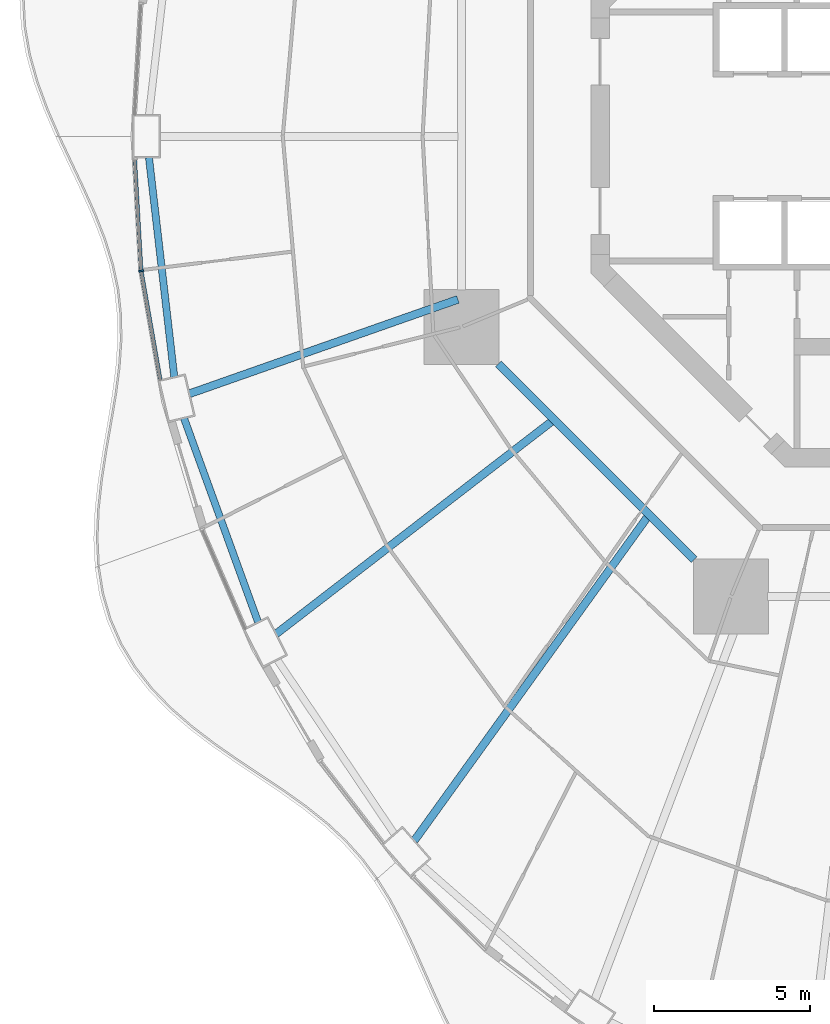
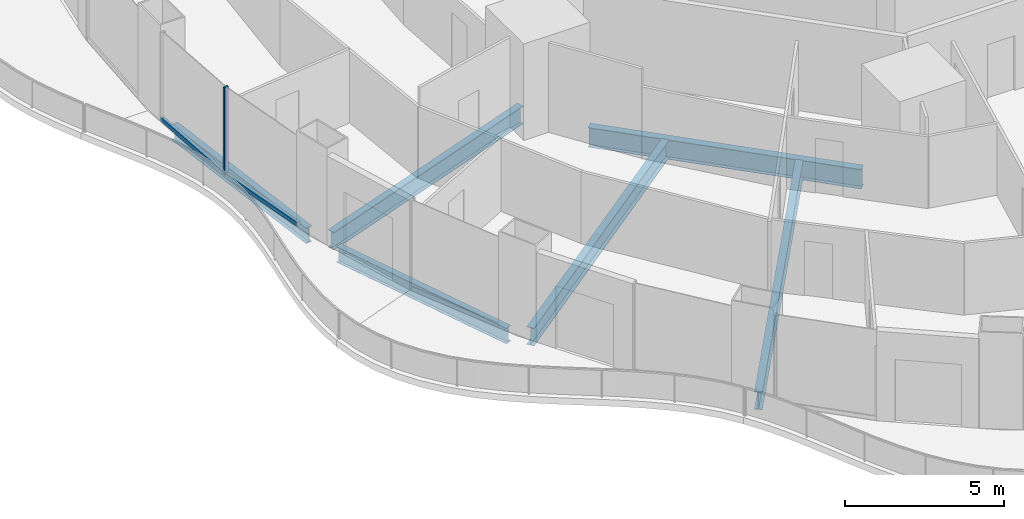
# One storey, part 3 of 22: 6 beams, 3 members, 2 elements without a shape of their own.
"""IFC4 building model written with IfcOpenShell, lengths in metres."""

from ifc_helpers import new_model, si_unit, direction, frame, origin, origin_2d, place, context, subcontext, project, spatial, rectangle, i_section, extrude, material, layer, layer_set, material_profile, profile_set, type_object, element, aggregate, save


model = new_model("IFC4")

# Units and contexts
model_context = context("Model", 3, precision=1e-05, world=origin(), true_north=direction((0.0, 1.0)))
body_context = subcontext(model_context, "Body", "Model", "MODEL_VIEW")
ifc_project = project(units=[si_unit("LENGTHUNIT", "METRE"), si_unit("AREAUNIT", "SQUARE_METRE"), si_unit("VOLUMEUNIT", "CUBIC_METRE"), si_unit("PLANEANGLEUNIT", "RADIAN"), si_unit("MASSUNIT", "GRAM", prefix="KILO")], contexts=[model_context])

# Site, building, storey
site_placement = place(None, origin())
site = spatial("IfcSite", under=ifc_project, at=site_placement, CompositionType="ELEMENT")
building_placement = place(site_placement, origin())
building = spatial("IfcBuilding", under=site, at=building_placement, Name="Nagisa Residences", CompositionType="ELEMENT")
storey_placement = place(building_placement, frame((0.0, 0.0, 38.10009765625)))
storey = spatial("IfcBuildingStorey", under=building, at=storey_placement, Name="L08", CompositionType="ELEMENT", Elevation=38.10009765625)

# Curtain wall, member
ifc_material_1 = material(Name="Concrete-coloured aluminium curtain wall system", Category="concrete")
ifc_layer = layer(ifc_material_1, 0.159912109375)
ifc_layer_set = layer_set([ifc_layer], Name="CW1 CURTAIN WALL")
curtain_wall_type = type_object("IfcCurtainWallType", Name="CW1 CURTAIN WALL", PredefinedType="NOTDEFINED", material=ifc_layer_set)
curtain_wall_1_placement = place(storey_placement, origin())
curtain_wall_1 = element("IfcCurtainWall", 1, at=curtain_wall_1_placement, inside=storey, type_object=curtain_wall_type, Name="cw:CW1:L08:25", PredefinedType="NOTDEFINED")
ifc_material_2 = material(Name="Concrete-coloured aluminium", Category="concrete")
ifc_material_profile_1 = material_profile(ifc_material_2, rectangle(XDim=0.159912109375, YDim=0.06005859375, at=origin_2d()), Name="CW1 MULLION 160x60")
ifc_profile_set_1 = profile_set([ifc_material_profile_1], Name="Concrete-coloured aluminium")
member_type_1 = type_object("IfcMemberType", Name="CW1 MULLION 160x60", PredefinedType="MULLION", material=ifc_profile_set_1)
member_1_placement = place(storey_placement, frame((-25.06787109375, -4.3232421875, 0.0), z_axis=(0.0, 0.0, 1.0), x_axis=(0.985063604377, 0.172190868898, 0.0)))
member_1 = element("IfcMember", 2, at=member_1_placement, type_object=member_type_1, Name="CW1 mullion", PredefinedType="MULLION", context=body_context, shape_type="SweptSolid", body=[
    extrude(rectangle(XDim=0.159912109375, YDim=0.06005859375, at=origin_2d()), origin(), (0.0, 0.0, 1.0), 3.43994140625),
])

curtain_wall_2_placement = place(storey_placement, origin())
curtain_wall_2 = element("IfcCurtainWall", 3, at=curtain_wall_2_placement, inside=storey, type_object=curtain_wall_type, Name="cw:CW1:L08:24", PredefinedType="NOTDEFINED")
ifc_material_3 = material(Name="Concrete-coloured aluminium", Category="concrete")
ifc_material_profile_2 = material_profile(ifc_material_3, rectangle(XDim=0.1201171875, YDim=0.14990234375, at=origin_2d()), Name="CW1 TRANSOM 120x150")
ifc_profile_set_2 = profile_set([ifc_material_profile_2], Name="Concrete-coloured aluminium")
member_type_2 = type_object("IfcMemberType", Name="CW1 TRANSOM 120x150", PredefinedType="USERDEFINED", material=ifc_profile_set_2)
member_2_placement = place(storey_placement, frame((-25.27978515625, -0.6943359375, 0.074951171875), z_axis=(0.057482603412, -0.998346508135, 0.0), x_axis=(0.998346508135, 0.057482603412, 0.0)))
member_2 = element("IfcMember", 4, at=member_2_placement, type_object=member_type_2, Name="CW1 transom", ObjectType="TRANSOM", PredefinedType="USERDEFINED", context=body_context, shape_type="SweptSolid", body=[
    extrude(rectangle(XDim=0.1201171875, YDim=0.14990234375, at=origin_2d()), origin(), (0.0, 0.0, 1.0), 3.6142578125),
])
aggregate(curtain_wall_2, [member_2])

# Member
member_3_placement = place(storey_placement, frame((-25.072998046875, -4.293701171875, 0.074951171875), z_axis=(0.172163041068, -0.985068468326, 0.0), x_axis=(0.985068468326, 0.172163041068, 0.0)))
member_3 = element("IfcMember", 5, at=member_3_placement, type_object=member_type_2, Name="CW1 transom", ObjectType="TRANSOM", PredefinedType="USERDEFINED", context=body_context, shape_type="SweptSolid", body=[
    extrude(rectangle(XDim=0.1201171875, YDim=0.14990234375, at=origin_2d()), origin(), (0.0, 0.0, 1.0), 3.59765625),
])

aggregate(curtain_wall_1, [member_1, member_3])

# Beams
ifc_material_4 = material(Name="Steel ASTM A572 Gr 50", Category="steel")
ifc_material_profile_3 = material_profile(ifc_material_4, i_section(OverallWidth=0.264892578125, OverallDepth=0.7529296875, WebThickness=0.01318359375, FlangeThickness=0.01708984375, at=origin_2d()), Name="W760x147")
ifc_profile_set_3 = profile_set([ifc_material_profile_3], Name="Steel ASTM A572 Gr 50")
beam_type_1 = type_object("IfcBeamType", Name="Inner ring beam W760x147", PredefinedType="BEAM", material=ifc_profile_set_3)
beam_1_placement = place(storey_placement, frame((-13.59619140625, -7.308837890625, -0.63671875), z_axis=(0.707106781187, -0.707106781187, 0.0), x_axis=(0.707106781187, 0.707106781187, 0.0)))
element("IfcBeam", 6, at=beam_1_placement, inside=storey, type_object=beam_type_1, Name="beam:L08:ib5", PredefinedType="BEAM", context=body_context, shape_type="SweptSolid", body=[
    extrude(i_section(OverallWidth=0.264892578125, OverallDepth=0.7529296875, WebThickness=0.01318359375, FlangeThickness=0.01708984375, at=origin_2d()), origin(), (0.0, 0.0, 1.0), 8.8916015625),
])
ifc_material_5 = material(Name="Steel ASTM A572 Gr 50", Category="steel")
ifc_material_profile_4 = material_profile(ifc_material_5, i_section(OverallWidth=0.22802734375, OverallDepth=0.60302734375, WebThickness=0.010498046875, FlangeThickness=0.014892578125, at=origin_2d()), Name="W610x101")
ifc_profile_set_4 = profile_set([ifc_material_profile_4], Name="Steel ASTM A572 Gr 50")
beam_type_2 = type_object("IfcBeamType", Name="Perimeter ring beam W610x101", PredefinedType="BEAM", material=ifc_profile_set_4)
beam_2_placement = place(storey_placement, frame((-24.821533203125, -0.68017578125, -0.5615234375), z_axis=(0.114707660057, -0.993399291687, 0.0), x_axis=(0.993399291687, 0.114707660057, 0.0)))
element("IfcBeam", 7, at=beam_2_placement, inside=storey, type_object=beam_type_2, Name="beam:L08:pb13", PredefinedType="BEAM", context=body_context, shape_type="SweptSolid", body=[
    extrude(i_section(OverallWidth=0.22802734375, OverallDepth=0.60302734375, WebThickness=0.010498046875, FlangeThickness=0.014892578125, at=origin_2d()), origin(), (0.0, 0.0, 1.0), 7.09814453125),
])
beam_3_placement = place(storey_placement, frame((-23.695068359375, -9.055419921875, -0.5615234375), z_axis=(0.341411143183, -0.939914055279, 0.0), x_axis=(0.939914055279, 0.341411143183, 0.0)))
element("IfcBeam", 8, at=beam_3_placement, inside=storey, type_object=beam_type_2, Name="beam:L08:pb14", PredefinedType="BEAM", context=body_context, shape_type="SweptSolid", body=[
    extrude(i_section(OverallWidth=0.22802734375, OverallDepth=0.60302734375, WebThickness=0.010498046875, FlangeThickness=0.014892578125, at=origin_2d()), origin(), (0.0, 0.0, 1.0), 6.96923828125),
])
ifc_material_6 = material(Name="Steel ASTM A572 Gr 50", Category="steel")
ifc_material_profile_5 = material_profile(ifc_material_6, i_section(OverallWidth=0.25390625, OverallDepth=0.68408203125, WebThickness=0.012451171875, FlangeThickness=0.018798828125, at=origin_2d()), Name="W690x140")
ifc_profile_set_5 = profile_set([ifc_material_profile_5], Name="Steel ASTM A572 Gr 50")
beam_type_3 = type_object("IfcBeamType", Name="Radial beam W690x140", PredefinedType="BEAM", material=ifc_profile_set_5)
beam_4_placement = place(storey_placement, frame((-23.520751953125, -8.26806640625, -0.60205078125), z_axis=(0.943414535235, 0.331615763659, 0.0), x_axis=(-0.331615763659, 0.943414535235, 0.0)))
element("IfcBeam", 9, at=beam_4_placement, inside=storey, type_object=beam_type_3, Name="beam:L08:rb14", PredefinedType="BEAM", context=body_context, shape_type="SweptSolid", body=[
    extrude(i_section(OverallWidth=0.25390625, OverallDepth=0.68408203125, WebThickness=0.012451171875, FlangeThickness=0.018798828125, at=origin_2d()), origin(), (0.0, 0.0, 1.0), 9.142333984375),
])
beam_5_placement = place(storey_placement, frame((-20.73486328125, -15.982666015625, -0.60205078125), z_axis=(0.792016146736, 0.610500141941, 0.0), x_axis=(-0.610500141941, 0.792016146736, 0.0)))
element("IfcBeam", 10, at=beam_5_placement, inside=storey, type_object=beam_type_3, Name="beam:L08:rb15", PredefinedType="BEAM", context=body_context, shape_type="SweptSolid", body=[
    extrude(i_section(OverallWidth=0.25390625, OverallDepth=0.68408203125, WebThickness=0.012451171875, FlangeThickness=0.018798828125, at=origin_2d()), origin(), (0.0, 0.0, 1.0), 11.160888671875),
])
beam_6_placement = place(storey_placement, frame((-16.29443359375, -22.62255859375, -0.60205078125), z_axis=(0.58445507622, 0.811426068031, 0.0), x_axis=(-0.811426068031, 0.58445507622, 0.0)))
element("IfcBeam", 11, at=beam_6_placement, inside=storey, type_object=beam_type_3, Name="beam:L08:rb16", PredefinedType="BEAM", context=body_context, shape_type="SweptSolid", body=[
    extrude(i_section(OverallWidth=0.25390625, OverallDepth=0.68408203125, WebThickness=0.012451171875, FlangeThickness=0.018798828125, at=origin_2d()), origin(), (0.0, 0.0, 1.0), 12.78955078125),
])

save(model, "model.ifc")
